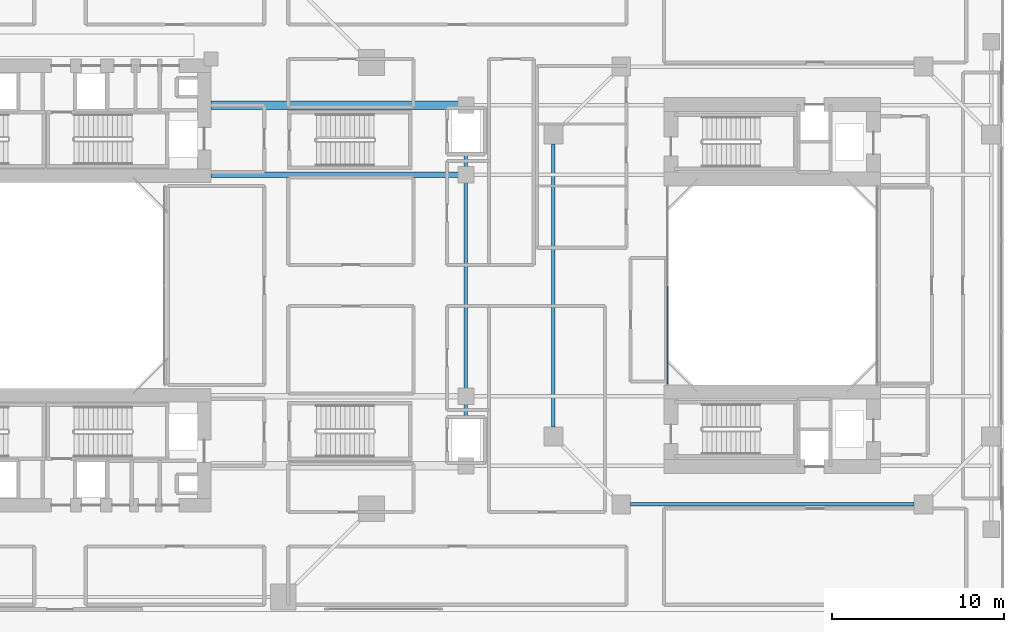
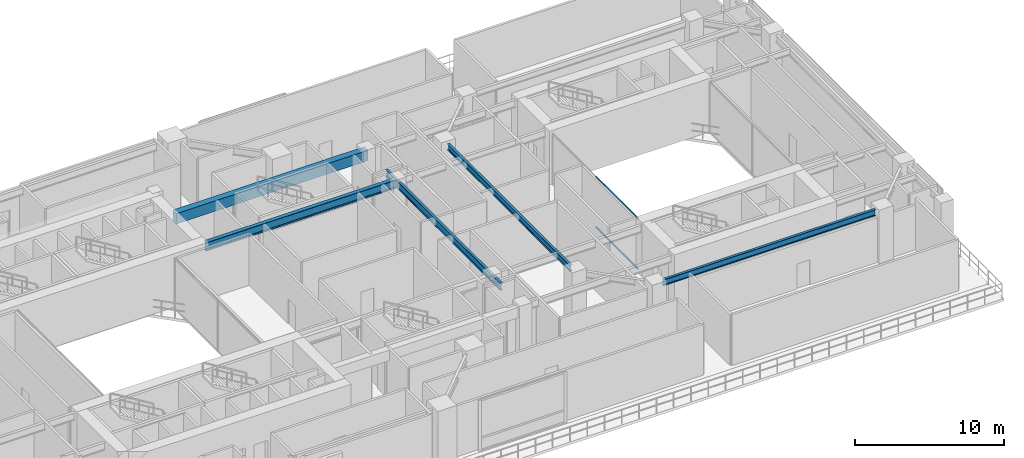
# One storey, part 5 of 19: 5 beams, 2 members, 1 element without a shape of its own.
"""IFC4 building model written with IfcOpenShell, lengths in metres."""

from ifc_helpers import new_model, si_unit, direction, frame, origin, origin_2d, place, context, subcontext, project, spatial, rectangle, i_section, extrude, source, transform, mapped, material, layer, layer_set, material_profile, profile_set, type_object, element, aggregate, save


model = new_model("IFC4")

# Units and contexts
model_context = context("Model", 3, precision=1e-05, world=origin(), true_north=direction((0.0, 1.0)))
body_context = subcontext(model_context, "Body", "Model", "MODEL_VIEW")
ifc_project = project(units=[si_unit("LENGTHUNIT", "METRE"), si_unit("AREAUNIT", "SQUARE_METRE"), si_unit("VOLUMEUNIT", "CUBIC_METRE"), si_unit("PLANEANGLEUNIT", "RADIAN"), si_unit("MASSUNIT", "GRAM", prefix="KILO"), si_unit("THERMODYNAMICTEMPERATUREUNIT", "KELVIN"), si_unit("POWERUNIT", "WATT")], contexts=[model_context])

# Site, building, storey
site_placement = place(None, origin())
site = spatial("IfcSite", under=ifc_project, at=site_placement, CompositionType="ELEMENT")
building_placement = place(site_placement, origin())
building = spatial("IfcBuilding", under=site, at=building_placement, Name="Qiaomeng Ring Towers", CompositionType="ELEMENT")
storey_placement = place(building_placement, frame((0.0, 0.0, 9.39990234375)))
storey = spatial("IfcBuildingStorey", under=building, at=storey_placement, Name="L02", CompositionType="ELEMENT", Elevation=9.39990234375)

# Beams
ifc_material_1 = material(Name="Steel Q355B", Category="steel")
ifc_material_profile_1 = material_profile(ifc_material_1, i_section(OverallWidth=0.199951171875, OverallDepth=0.5, WebThickness=0.010009765625, FlangeThickness=0.01611328125, FilletRadius=0.02001953125, at=origin_2d()), Name="HN 500x200x10x16")
ifc_profile_set_1 = profile_set([ifc_material_profile_1], Name="Steel Q355B")
beam_type_1 = type_object("IfcBeamType", Name="STR-BM-HN500", PredefinedType="BEAM", material=ifc_profile_set_1)
shared_shape_1 = source(origin(), body_context, "Body", "SweptSolid", [
    extrude(i_section(OverallWidth=0.199951171875, OverallDepth=0.5, WebThickness=0.010009765625, FlangeThickness=0.01611328125, FilletRadius=0.02001953125, at=origin_2d()), origin(), (0.0, 0.0, 1.0), 16.501953125),
])
for number, where, z_axis, x_axis, name in (
    (1, (52.2490234375, 10.25, 3.93017578125), (1.0, 0.0, 0.0), (0.0, 1.0, 0.0), "L02 beam STR-SP-L02-T2-1"),
    (2, (47.75, 14.7490234375, 3.93017578125), (0.0, 1.0, 0.0), (-1.0, 0.0, 0.0), "L02 beam STR-SP-L02-T2-7"),
):
    element("IfcBeam", number, at=place(storey_placement, frame(where, z_axis=z_axis, x_axis=x_axis)), inside=storey, type_object=beam_type_1, Name=name, PredefinedType="BEAM", context=body_context, shape_type="MappedRepresentation", body=[
        mapped(shared_shape_1, transform((0.0, 0.0, 0.0), x_axis=(1.0, 0.0, 0.0), y_axis=(0.0, 1.0, 0.0), z_axis=(0.0, 0.0, 1.0), scale=1.0)),
    ])
ifc_material_profile_2 = material_profile(ifc_material_1, i_section(OverallWidth=0.199951171875, OverallDepth=0.60009765625, WebThickness=0.010986328125, FlangeThickness=0.01708984375, FilletRadius=0.02197265625, at=origin_2d()), Name="HN 600x200x11x17")
ifc_profile_set_2 = profile_set([ifc_material_profile_2], Name="Steel Q355B")
beam_type_2 = type_object("IfcBeamType", Name="STR-BM-HN600", PredefinedType="BEAM", material=ifc_profile_set_2)
shared_shape_2 = source(origin(), body_context, "Body", "SweptSolid", [
    extrude(i_section(OverallWidth=0.199951171875, OverallDepth=0.60009765625, WebThickness=0.010986328125, FlangeThickness=0.01708984375, FilletRadius=0.02197265625, at=origin_2d()), origin(), (0.0, 0.0, 1.0), 15.39990234375),
])
beam_1_placement = place(storey_placement, frame((42.64990234375, 15.300048828125, 3.880126953125), z_axis=(0.0, 1.0, 0.0), x_axis=(-1.0, 0.0, 0.0)))
element("IfcBeam", 3, at=beam_1_placement, inside=storey, type_object=beam_type_2, Name="L02 beam STR-BM-L02-THROAT-N", PredefinedType="BEAM", context=body_context, shape_type="MappedRepresentation", body=[
    mapped(shared_shape_2, transform((0.0, 0.0, 0.0), x_axis=(1.0, 0.0, 0.0), y_axis=(0.0, 1.0, 0.0), z_axis=(0.0, 0.0, 1.0), scale=1.0)),
])
ifc_material_profile_3 = material_profile(ifc_material_1, i_section(OverallWidth=0.300048828125, OverallDepth=0.699951171875, WebThickness=0.012939453125, FlangeThickness=0.02392578125, FilletRadius=0.02392578125, at=origin_2d()), Name="HN 700x300x13x24")
ifc_profile_set_3 = profile_set([ifc_material_profile_3], Name="Steel Q355B")
beam_type_3 = type_object("IfcBeamType", Name="STR-BM-HN700", PredefinedType="BEAM", material=ifc_profile_set_3)
shared_shape_3 = source(origin(), body_context, "Body", "SweptSolid", [
    extrude(i_section(OverallWidth=0.300048828125, OverallDepth=0.699951171875, WebThickness=0.012939453125, FlangeThickness=0.02392578125, FilletRadius=0.02392578125, at=origin_2d()), origin(), (0.0, 0.0, 1.0), 14.849853515625),
])
beam_2_placement = place(storey_placement, frame((27.800048828125, 29.449951171875, 3.830078125), z_axis=(1.0, 0.0, 0.0), x_axis=(0.0, 1.0, 0.0)))
element("IfcBeam", 4, at=beam_2_placement, inside=storey, type_object=beam_type_3, Name="L02 beam STR-BM-L02-M1-2", PredefinedType="BEAM", context=body_context, shape_type="MappedRepresentation", body=[
    mapped(shared_shape_3, transform((0.0, 0.0, 0.0), x_axis=(1.0, 0.0, 0.0), y_axis=(0.0, 1.0, 0.0), z_axis=(0.0, 0.0, 1.0), scale=1.0)),
])
ifc_material_2 = material(Name="Concrete C50", Category="concrete")
ifc_material_profile_4 = material_profile(ifc_material_2, rectangle(XDim=0.5, YDim=0.85009765625, at=origin_2d()), Name="RC BM 500x850")
ifc_profile_set_4 = profile_set([ifc_material_profile_4], Name="Concrete C50")
beam_type_4 = type_object("IfcBeamType", Name="STR-BM-RC850", PredefinedType="LINTEL", material=ifc_profile_set_4)
shared_shape_4 = source(origin(), body_context, "Body", "SweptSolid", [
    extrude(rectangle(XDim=0.5, YDim=0.85009765625, at=origin_2d()), origin(), (0.0, 0.0, 1.0), 14.849853515625),
])
beam_3_placement = place(storey_placement, frame((27.800048828125, 33.5, 3.755126953125), z_axis=(1.0, 0.0, 0.0), x_axis=(0.0, 1.0, 0.0)))
element("IfcBeam", 5, at=beam_3_placement, inside=storey, type_object=beam_type_4, Name="L02 beam STR-CB-L02-T1N", PredefinedType="LINTEL", context=body_context, shape_type="MappedRepresentation", body=[
    mapped(shared_shape_4, transform((0.0, 0.0, 0.0), x_axis=(1.0, 0.0, 0.0), y_axis=(0.0, 1.0, 0.0), z_axis=(0.0, 0.0, 1.0), scale=1.0)),
])

# Curtain wall, members
ifc_material_3 = material(Name="Fluorocarbon dark-grey aluminium", Category="aluminium")
ifc_layer = layer(ifc_material_3, 0.139892578125, Name="Fluorocarbon dark-grey aluminium")
ifc_layer_set = layer_set([ifc_layer], Name="Fluorocarbon dark-grey aluminium")
curtain_wall_type = type_object("IfcCurtainWallType", Name="ARC-CW-4", PredefinedType="NOTDEFINED", material=ifc_layer_set)
curtain_wall_placement = place(storey_placement, origin())
curtain_wall = element("IfcCurtainWall", 6, at=curtain_wall_placement, inside=storey, type_object=curtain_wall_type, Name="L02 Curtain Wall CW4", PredefinedType="NOTDEFINED")
ifc_material_profile_5 = material_profile(ifc_material_3, rectangle(XDim=0.06494140625, YDim=0.1298828125, at=origin_2d()), Name="ALU TRAN 65x130")
ifc_profile_set_5 = profile_set([ifc_material_profile_5], Name="Fluorocarbon dark-grey aluminium")
member_type = type_object("IfcMemberType", Name="ARC-CWT-120", PredefinedType="USERDEFINED", material=ifc_profile_set_5)
shared_shape_5 = source(origin(), body_context, "Body", "SweptSolid", [
    extrude(rectangle(XDim=0.06494140625, YDim=0.1298828125, at=origin_2d()), origin(), (0.0, 0.0, 1.0), 5.70263671875),
])
member_1_placement = place(storey_placement, frame((54.39990234375, 17.264892578125, 0.03271484375), z_axis=(0.0, 1.0, 0.0), x_axis=(-1.0, 0.0, 0.0)))
member_1 = element("IfcMember", 7, at=member_1_placement, type_object=member_type, Name="CW4 transom 1.1", ObjectType="TRANSOM", PredefinedType="USERDEFINED", context=body_context, shape_type="MappedRepresentation", body=[
    mapped(shared_shape_5, transform((0.0, 0.0, 0.0), x_axis=(1.0, 0.0, 0.0), y_axis=(0.0, 1.0, 0.0), z_axis=(0.0, 0.0, 1.0), scale=1.0)),
])
member_2_placement = place(storey_placement, frame((54.39990234375, 17.264892578125, 4.147705078125), z_axis=(0.0, 1.0, 0.0), x_axis=(-1.0, 0.0, 0.0)))
member_2 = element("IfcMember", 8, at=member_2_placement, type_object=member_type, Name="CW4 transom 1.2", ObjectType="TRANSOM", PredefinedType="USERDEFINED", context=body_context, shape_type="MappedRepresentation", body=[
    mapped(shared_shape_5, transform((0.0, 0.0, 0.0), x_axis=(1.0, 0.0, 0.0), y_axis=(0.0, 1.0, 0.0), z_axis=(0.0, 0.0, 1.0), scale=1.0)),
])
aggregate(curtain_wall, [member_1, member_2])

save(model, "model.ifc")
